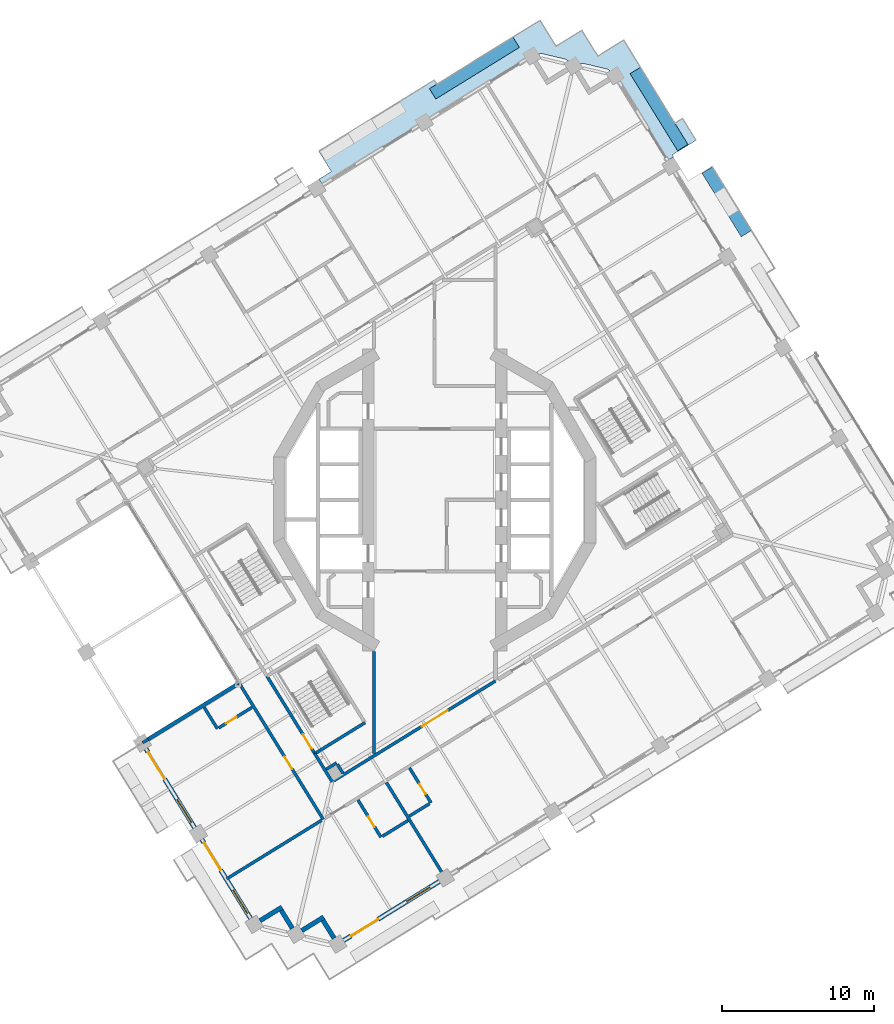
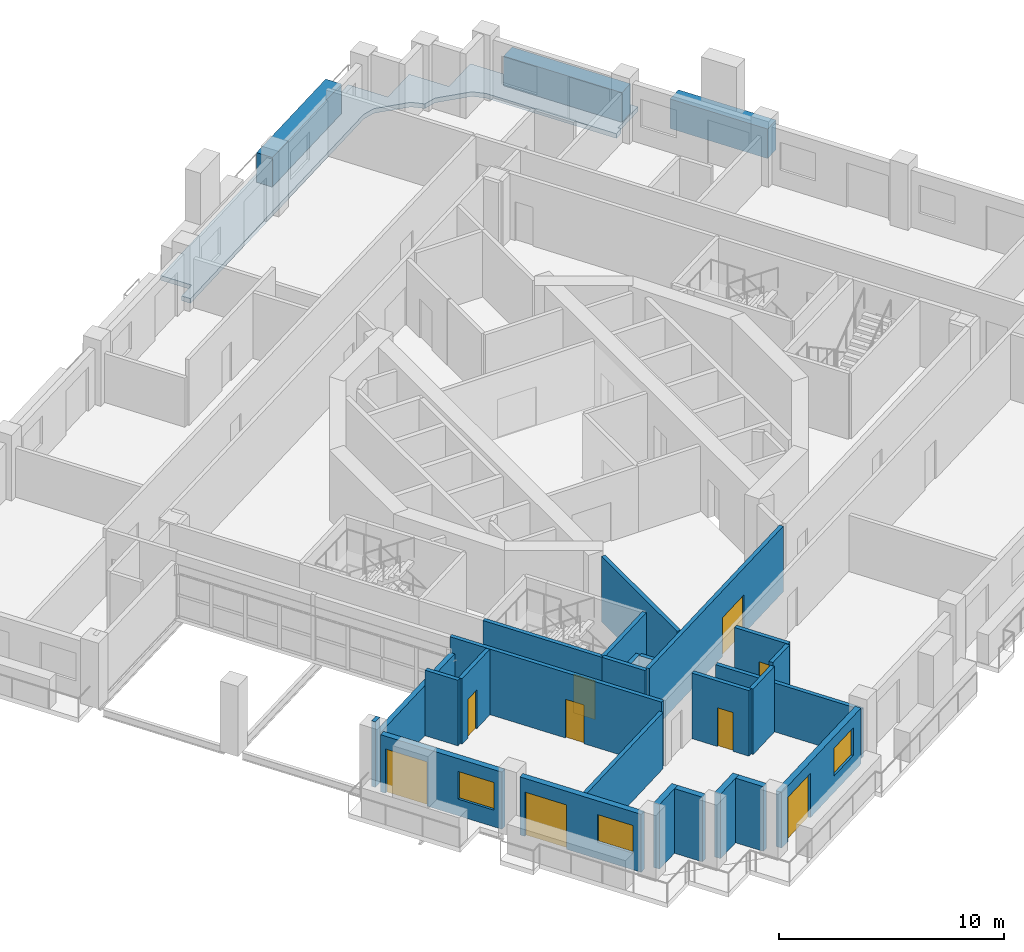
# One storey, part 5 of 20: 25 walls, 9 doors, 3 plates, 3 windows, 1 slab, 12 openings.
"""IFC4 building model written with IfcOpenShell, lengths in metres."""

from ifc_helpers import new_model, si_unit, direction, frame, frame_2d, origin, origin_2d, place, context, subcontext, project, spatial, polyline, rectangle, outline, extrude, material, layer, layer_set, type_object, element, fill, save


model = new_model("IFC4")

# Units and contexts
model_context = context("Model", 3, precision=1e-05, world=origin(), true_north=direction((0.0, 1.0)))
body_context = subcontext(model_context, "Body", "Model", "MODEL_VIEW")
ifc_project = project(units=[si_unit("LENGTHUNIT", "METRE"), si_unit("AREAUNIT", "SQUARE_METRE"), si_unit("VOLUMEUNIT", "CUBIC_METRE"), si_unit("PLANEANGLEUNIT", "RADIAN"), si_unit("MASSUNIT", "GRAM", prefix="KILO")], contexts=[model_context])

# Site, building, storey
site_placement = place(None, origin())
site = spatial("IfcSite", under=ifc_project, at=site_placement, CompositionType="ELEMENT")
building_placement = place(site_placement, origin())
building = spatial("IfcBuilding", under=site, at=building_placement, Name="Cantera Rosa Tower", CompositionType="ELEMENT")
storey_placement = place(building_placement, frame((0.0, 0.0, 151.39990234375)))
storey = spatial("IfcBuildingStorey", under=building, at=storey_placement, Name="L32", CompositionType="ELEMENT", Elevation=151.39990234375)

# Slab
ifc_material_1 = material(Name="Concrete C35/45", Category="concrete")
ifc_layer_1 = layer(ifc_material_1, 0.25)
ifc_layer_set_1 = layer_set([ifc_layer_1], Name="LOGGIA SLAB 250 C35/45")
slab_type = type_object("IfcSlabType", Name="LOGGIA SLAB 250 C35/45", PredefinedType="FLOOR", material=ifc_layer_set_1)
slab_placement = place(storey_placement, frame((0.0, 0.0, -0.25)))
element("IfcSlab", 1, at=slab_placement, inside=storey, type_object=slab_type, Name="LOGGIA SLAB L32 5", PredefinedType="FLOOR", context=body_context, shape_type="SweptSolid", body=[
    extrude(outline(polyline([(5.49755859375, 30.7080078125), (6.9443359375, 31.600341796875), (7.8369140625, 30.153564453125), (7.994384765625, 29.898193359375), (8.249755859375, 30.0556640625), (9.696533203125, 30.9482421875), (10.589111328125, 29.501220703125), (10.74658203125, 29.245849609375), (11.001953125, 29.4033203125), (12.44873046875, 30.2958984375), (13.34130859375, 28.84912109375), (15.823486328125, 24.82470703125), (16.3271484375, 25.135498046875), (17.21533203125, 23.695556640625), (15.647705078125, 22.728515625), (15.7265625, 22.600830078125), (15.343505859375, 22.36474609375), (11.894287109375, 27.95654296875), (11.4736328125, 28.328125), (11.45068359375, 28.346435546875), (11.426025390625, 28.362548828125), (11.39990234375, 28.376220703125), (11.37255859375, 28.386962890625), (11.34423828125, 28.395263671875), (9.83056640625, 28.75390625), (9.801513671875, 28.75927734375), (9.772216796875, 28.76171875), (9.742919921875, 28.761474609375), (9.713623046875, 28.75830078125), (9.684814453125, 28.752197265625), (9.14208984375, 28.60888671875), (8.721435546875, 28.98046875), (8.698486328125, 28.998779296875), (8.673828125, 29.014892578125), (8.647705078125, 29.0283203125), (8.620361328125, 29.039306640625), (8.592041015625, 29.047607421875), (7.078369140625, 29.40625), (7.049560546875, 29.41162109375), (7.02001953125, 29.4140625), (6.99072265625, 29.413818359375), (6.96142578125, 29.410400390625), (6.9326171875, 29.404296875), (6.389892578125, 29.260986328125), (-7.3896484375, 20.76171875), (-7.625732421875, 21.144775390625), (-6.8173828125, 21.643310546875), (-7.6416015625, 22.97998046875), (-0.032470703125, 27.67333984375), (0.1357421875, 27.40087890625), (5.49755859375, 30.7080078125)])), origin(), (0.0, 0.0, 1.0), 0.25),
])

# Plates
ifc_material_2 = material(Name="Cantera stone planter with soil", Category="masonry")
plate_type = type_object("IfcPlateType", Name="PLANTER 800", PredefinedType="USERDEFINED", material=ifc_material_2)
plate_1_placement = place(storey_placement, frame((19.24267578125, 19.64697265625, 0.0), z_axis=(0.0, 0.0, 1.0), x_axis=(-0.52497658034, 0.851116672434, 0.0)))
element("IfcPlate", 2, at=plate_1_placement, inside=storey, type_object=plate_type, Name="PLANTER L32-04", ObjectType="PLANTER", PredefinedType="USERDEFINED", context=body_context, shape_type="SweptSolid", body=[
    extrude(rectangle(XDim=4.919921875, YDim=0.800048828125, at=origin_2d()), origin(), (0.0, 0.0, 1.0), 1.60009765625),
])
plate_2_placement = place(storey_placement, frame((14.77783203125, 25.758056640625, 0.0), z_axis=(0.0, 0.0, 1.0), x_axis=(-0.52497658034, 0.851116672434, 0.0)))
element("IfcPlate", 3, at=plate_2_placement, inside=storey, type_object=plate_type, Name="PLANTER L32-05", ObjectType="PLANTER", PredefinedType="USERDEFINED", context=body_context, shape_type="SweptSolid", body=[
    extrude(rectangle(XDim=5.969970703125, YDim=0.800048828125, at=origin_2d()), origin(), (0.0, 0.0, 1.0), 1.60009765625),
])
plate_3_placement = place(storey_placement, frame((2.61376953125, 28.459228515625, 0.0), z_axis=(0.0, 0.0, 1.0), x_axis=(-0.851116672434, -0.52497658034, 0.0)))
element("IfcPlate", 4, at=plate_3_placement, inside=storey, type_object=plate_type, Name="PLANTER L32-06", ObjectType="PLANTER", PredefinedType="USERDEFINED", context=body_context, shape_type="SweptSolid", body=[
    extrude(rectangle(XDim=6.469970703125, YDim=0.800048828125, at=origin_2d()), origin(), (0.0, 0.0, 1.0), 1.60009765625),
])

# Wall, opening, door
ifc_material_3 = material(Name="Gypsum board partition")
ifc_layer_2 = layer(ifc_material_3, 0.199951171875)
ifc_layer_set_2 = layer_set([ifc_layer_2], Name="CORRIDOR WALL 200 H3550")
wall_type_1 = type_object("IfcWallType", Name="CORRIDOR WALL 200 H3550", PredefinedType="PARTITIONING", material=ifc_layer_set_2)
wall_1_placement = place(storey_placement, frame((-12.947265625, -11.963134765625, 0.0), z_axis=(0.0, 0.0, 1.0), x_axis=(0.524977152999, -0.851116319212, 0.0)))
wall_1 = element("IfcWall", 5, at=wall_1_placement, inside=storey, type_object=wall_type_1, Name="CORRIDOR WALL L32-006", PredefinedType="PARTITIONING", context=body_context, shape_type="SweptSolid", body=[
    extrude(rectangle(XDim=10.6650390625, YDim=0.199951171875, at=frame_2d((5.33251953125, 0.0))), origin(), (0.0, 0.0, 1.0), 3.550048828125),
])
opening_1_placement = place(wall_1_placement, frame((5.820068359375, 0.0, 0.0)))
opening_1 = element("IfcOpeningElement", 6, at=opening_1_placement, cuts=wall_1, Name="Opening L32-032", PredefinedType="OPENING", context=body_context, shape_type="SweptSolid", body=[
    extrude(rectangle(XDim=0.949951171875, YDim=2.10009765625, at=frame_2d((0.47509765625, 1.050048828125))), frame((0.0, 0.10986328125, 0.0), z_axis=(0.0, -1.0, 0.0), x_axis=(1.0, 0.0, 0.0)), (0.0, 0.0, 1.0), 0.219970703125),
])
ifc_material_4 = material(Name="Timber door leaf", Category="wood")
door_type_1 = type_object("IfcDoorType", Name="ROOM DOOR 950x2100", OperationType="NOTDEFINED", PredefinedType="DOOR", material=ifc_material_4)
door_1_placement = place(opening_1_placement, origin())
door_1 = element("IfcDoor", 7, at=door_1_placement, inside=storey, type_object=door_type_1, Name="DOOR L32-032", OperationType="NOTDEFINED", OverallHeight=2.10009765625, OverallWidth=0.949951171875, PredefinedType="DOOR", context=body_context, shape_type="SweptSolid", body=[
    extrude(rectangle(XDim=0.949951171875, YDim=2.10009765625, at=frame_2d((0.47509765625, 1.050048828125))), frame((0.0, 0.02490234375, 0.0), z_axis=(0.0, -1.0, 0.0), x_axis=(1.0, 0.0, 0.0)), (0.0, 0.0, 1.0), 0.050048828125),
])
fill(opening_1, door_1)

# Wall
wall_2_placement = place(storey_placement, frame((-7.9033203125, -16.7119140625, 0.0), z_axis=(0.0, 0.0, 1.0), x_axis=(0.525036414636, -0.851079763187, 0.0)))
element("IfcWall", 8, at=wall_2_placement, inside=storey, type_object=wall_type_1, Name="CORRIDOR WALL L32-026", PredefinedType="PARTITIONING", context=body_context, shape_type="SweptSolid", body=[
    extrude(rectangle(XDim=2.17529296875, YDim=0.199951171875, at=frame_2d((1.087646484375, 0.0))), origin(), (0.0, 0.0, 1.0), 3.550048828125),
])

# Wall, opening, door
wall_3_placement = place(storey_placement, frame((-6.6591796875, -18.500244140625, 0.0), z_axis=(0.0, 0.0, 1.0), x_axis=(0.851115705413, 0.524978148116, 0.0)))
wall_3 = element("IfcWall", 9, at=wall_3_placement, inside=storey, type_object=wall_type_1, Name="CORRIDOR WALL L32-039", PredefinedType="PARTITIONING", context=body_context, shape_type="SweptSolid", body=[
    extrude(rectangle(XDim=12.523681640625, YDim=0.199951171875, at=frame_2d((6.26171875, 0.0))), origin(), (0.0, 0.0, 1.0), 3.550048828125),
])
opening_2_placement = place(wall_3_placement, frame((6.82421875, 0.0, 0.0)))
opening_2 = element("IfcOpeningElement", 10, at=opening_2_placement, cuts=wall_3, Name="Opening L32-011", PredefinedType="OPENING", context=body_context, shape_type="SweptSolid", body=[
    extrude(rectangle(XDim=2.0, YDim=2.10009765625, at=frame_2d((1.0, 1.050048828125))), frame((0.0, 0.10986328125, 0.0), z_axis=(0.0, -1.0, 0.0), x_axis=(1.0, 0.0, 0.0)), (0.0, 0.0, 1.0), 0.219970703125),
])
ifc_material_5 = material(Name="Steel S355J2 (EN 10025-2)", Category="steel")
door_type_2 = type_object("IfcDoorType", Name="LOBBY SCREEN DOOR 2000x2100", OperationType="NOTDEFINED", PredefinedType="DOOR", material=ifc_material_5)
door_2_placement = place(opening_2_placement, origin())
door_2 = element("IfcDoor", 11, at=door_2_placement, inside=storey, type_object=door_type_2, Name="DOOR L32-011", OperationType="NOTDEFINED", OverallHeight=2.10009765625, OverallWidth=2.0, PredefinedType="DOOR", context=body_context, shape_type="SweptSolid", body=[
    extrude(rectangle(XDim=2.0, YDim=2.10009765625, at=frame_2d((1.0, 1.050048828125))), frame((0.0, 0.02490234375, 0.0), z_axis=(0.0, -1.0, 0.0), x_axis=(1.0, 0.0, 0.0)), (0.0, 0.0, 1.0), 0.050048828125),
])
fill(opening_2, door_2)

# Walls
wall_4_placement = place(storey_placement, frame((-4.0, -9.994140625, 0.0), z_axis=(0.0, 0.0, 1.0), x_axis=(0.0, -1.0, 0.0)))
element("IfcWall", 12, at=wall_4_placement, inside=storey, type_object=wall_type_1, Name="CORRIDOR WALL L32-050", PredefinedType="PARTITIONING", context=body_context, shape_type="SweptSolid", body=[
    extrude(rectangle(XDim=6.7060546875, YDim=0.199951171875, at=frame_2d((3.35302734375, 0.0))), origin(), (0.0, 0.0, 1.0), 3.550048828125),
])
ifc_material_6 = material(Name="Hollow clay masonry with cantera stone cladding", Category="masonry")
ifc_layer_3 = layer(ifc_material_6, 0.300048828125)
ifc_layer_set_3 = layer_set([ifc_layer_3], Name="EW-LOGGIA 300")
wall_type_2 = type_object("IfcWallType", Name="EW-LOGGIA 300", PredefinedType="SOLIDWALL", material=ifc_layer_set_3)
wall_5_placement = place(storey_placement, frame((-11.51123046875, -27.72021484375, 0.0), z_axis=(0.0, 0.0, 1.0), x_axis=(0.851130227454, 0.524954603669, 0.0)))
element("IfcWall", 13, at=wall_5_placement, inside=storey, type_object=wall_type_2, Name="EN-L32-W20a", PredefinedType="SOLIDWALL", context=body_context, shape_type="SweptSolid", body=[
    extrude(rectangle(XDim=1.699951171875, YDim=0.300048828125, at=frame_2d((0.85009765625, 0.0))), origin(), (0.0, 0.0, 1.0), 3.5),
])
wall_6_placement = place(storey_placement, frame((-10.11328125, -27.0341796875, 0.0), z_axis=(0.0, 0.0, 1.0), x_axis=(0.524895019961, -0.85116697423, 0.0)))
element("IfcWall", 14, at=wall_6_placement, inside=storey, type_object=wall_type_2, Name="EN-L32-W20b", PredefinedType="SOLIDWALL", context=body_context, shape_type="SweptSolid", body=[
    extrude(rectangle(XDim=1.39990234375, YDim=0.300048828125, at=frame_2d((0.699951171875, 0.0))), origin(), (0.0, 0.0, 1.0), 3.5),
])
wall_7_placement = place(storey_placement, frame((-8.75927734375, -28.37255859375, 0.0), z_axis=(0.0, 0.0, 1.0), x_axis=(0.851105638601, 0.524994468487, 0.0)))
element("IfcWall", 15, at=wall_7_placement, inside=storey, type_object=wall_type_2, Name="EN-L32-W21a", PredefinedType="SOLIDWALL", context=body_context, shape_type="SweptSolid", body=[
    extrude(rectangle(XDim=1.7001953125, YDim=0.300048828125, at=frame_2d((0.85009765625, 0.0))), origin(), (0.0, 0.0, 1.0), 3.5),
])
wall_8_placement = place(storey_placement, frame((-7.361083984375, -27.6865234375, 0.0), z_axis=(0.0, 0.0, 1.0), x_axis=(0.524895019961, -0.85116697423, 0.0)))
element("IfcWall", 16, at=wall_8_placement, inside=storey, type_object=wall_type_2, Name="EN-L32-W21b", PredefinedType="SOLIDWALL", context=body_context, shape_type="SweptSolid", body=[
    extrude(rectangle(XDim=1.39990234375, YDim=0.300048828125, at=frame_2d((0.699951171875, 0.0))), origin(), (0.0, 0.0, 1.0), 3.5),
])

# Wall, openings, window, door
ifc_material_7 = material(Name="Hollow clay masonry with cantera stone cladding", Category="masonry")
ifc_layer_4 = layer(ifc_material_7, 0.300048828125)
ifc_layer_set_4 = layer_set([ifc_layer_4], Name="EW-LOGGIA 300 H3020")
wall_type_3 = type_object("IfcWallType", Name="EW-LOGGIA 300 H3020", PredefinedType="SOLIDWALL", material=ifc_layer_set_4)
wall_9_placement = place(storey_placement, frame((-6.007080078125, -29.02490234375, 0.0), z_axis=(0.0, 0.0, 1.0), x_axis=(0.851111085575, 0.524985637909, 0.0)))
wall_9 = element("IfcWall", 17, at=wall_9_placement, inside=storey, type_object=wall_type_3, Name="EN-L32-W22", PredefinedType="SOLIDWALL", context=body_context, shape_type="SweptSolid", body=[
    extrude(rectangle(XDim=7.420166015625, YDim=0.300048828125, at=frame_2d((3.7099609375, 0.0))), origin(), (0.0, 0.0, 1.0), 3.02001953125),
])
opening_3_placement = place(wall_9_placement, frame((0.580078125, 0.0, 0.0)))
opening_3 = element("IfcOpeningElement", 18, at=opening_3_placement, cuts=wall_9, Name="Opening L32-TD27", PredefinedType="OPENING", context=body_context, shape_type="SweptSolid", body=[
    extrude(rectangle(XDim=2.10009765625, YDim=2.39990234375, at=frame_2d((1.050048828125, 1.199951171875))), frame((0.0, 0.159912109375, 0.0), z_axis=(0.0, -1.0, 0.0), x_axis=(1.0, 0.0, 0.0)), (0.0, 0.0, 1.0), 0.320068359375),
])
opening_4_placement = place(wall_9_placement, frame((4.889892578125, 0.0, 0.89990234375)))
opening_4 = element("IfcOpeningElement", 19, at=opening_4_placement, cuts=wall_9, Name="Opening L32-W28", PredefinedType="OPENING", context=body_context, shape_type="SweptSolid", body=[
    extrude(rectangle(XDim=1.800048828125, YDim=1.5, at=frame_2d((0.89990234375, 0.75))), frame((0.0, 0.159912109375, 0.0), z_axis=(0.0, -1.0, 0.0), x_axis=(1.0, 0.0, 0.0)), (0.0, 0.0, 1.0), 0.320068359375),
])
ifc_material_8 = material(Name="Aluminium frame with clear glass", Category="aluminium")
window_type = type_object("IfcWindowType", Name="Hotel room window 1800x1500", PartitioningType="DOUBLE_PANEL_VERTICAL", PredefinedType="WINDOW", material=ifc_material_8)
window_1_placement = place(opening_4_placement, origin())
window_1 = element("IfcWindow", 20, at=window_1_placement, inside=storey, type_object=window_type, Name="WINDOW L32-W28", OverallHeight=1.5, OverallWidth=1.800048828125, PartitioningType="SINGLE_PANEL", PredefinedType="WINDOW", context=body_context, shape_type="SweptSolid", body=[
    extrude(rectangle(XDim=1.800048828125, YDim=1.5, at=frame_2d((0.89990234375, 0.75))), frame((0.0, 0.030029296875, 0.0), z_axis=(0.0, -1.0, 0.0), x_axis=(1.0, 0.0, 0.0)), (0.0, 0.0, 1.0), 0.06005859375),
])
fill(opening_4, window_1)
ifc_material_9 = material(Name="Aluminium frame with clear glass", Category="aluminium")
door_type_3 = type_object("IfcDoorType", Name="TD-H 2100x2400", OperationType="NOTDEFINED", PredefinedType="DOOR", material=ifc_material_9)
door_3_placement = place(opening_3_placement, origin())
door_3 = element("IfcDoor", 21, at=door_3_placement, inside=storey, type_object=door_type_3, Name="LOGGIA DOOR L32-TD27", OperationType="SLIDING_TO_LEFT", OverallHeight=2.39990234375, OverallWidth=2.10009765625, PredefinedType="DOOR", context=body_context, shape_type="SweptSolid", body=[
    extrude(rectangle(XDim=2.10009765625, YDim=2.39990234375, at=frame_2d((1.050048828125, 1.199951171875))), frame((0.0, 0.02490234375, 0.0), z_axis=(0.0, -1.0, 0.0), x_axis=(1.0, 0.0, 0.0)), (0.0, 0.0, 1.0), 0.050048828125),
])
fill(opening_3, door_3)

ifc_material_10 = material(Name="Hollow clay masonry with cantera stone cladding", Category="masonry")
ifc_layer_5 = layer(ifc_material_10, 0.300048828125)
ifc_layer_set_5 = layer_set([ifc_layer_5], Name="EW-LOGGIA 300 H3090")
wall_type_4 = type_object("IfcWallType", Name="EW-LOGGIA 300 H3090", PredefinedType="SOLIDWALL", material=ifc_layer_set_5)
wall_10_placement = place(storey_placement, frame((-19.02880859375, -16.389892578125, 0.0), z_axis=(0.0, 0.0, 1.0), x_axis=(0.524987447654, -0.851109969279, 0.0)))
wall_10 = element("IfcWall", 22, at=wall_10_placement, inside=storey, type_object=wall_type_4, Name="EN-L32-W18", PredefinedType="SOLIDWALL", context=body_context, shape_type="SweptSolid", body=[
    extrude(rectangle(XDim=6.119873046875, YDim=0.300048828125, at=frame_2d((3.06005859375, 0.0))), origin(), (0.0, 0.0, 1.0), 3.090087890625),
])
opening_5_placement = place(wall_10_placement, frame((0.2548828125, 0.0, 0.0)))
opening_5 = element("IfcOpeningElement", 23, at=opening_5_placement, cuts=wall_10, Name="Opening L32-TD23", PredefinedType="OPENING", context=body_context, shape_type="SweptSolid", body=[
    extrude(rectangle(XDim=2.10009765625, YDim=2.39990234375, at=frame_2d((1.050048828125, 1.199951171875))), frame((0.0, 0.159912109375, 0.0), z_axis=(0.0, -1.0, 0.0), x_axis=(1.0, 0.0, 0.0)), (0.0, 0.0, 1.0), 0.320068359375),
])
opening_6_placement = place(wall_10_placement, frame((3.9150390625, 0.0, 0.89990234375)))
opening_6 = element("IfcOpeningElement", 24, at=opening_6_placement, cuts=wall_10, Name="Opening L32-W24", PredefinedType="OPENING", context=body_context, shape_type="SweptSolid", body=[
    extrude(rectangle(XDim=1.800048828125, YDim=1.5, at=frame_2d((0.89990234375, 0.75))), frame((0.0, 0.159912109375, 0.0), z_axis=(0.0, -1.0, 0.0), x_axis=(1.0, 0.0, 0.0)), (0.0, 0.0, 1.0), 0.320068359375),
])
window_2_placement = place(opening_6_placement, origin())
window_2 = element("IfcWindow", 25, at=window_2_placement, inside=storey, type_object=window_type, Name="WINDOW L32-W24", OverallHeight=1.5, OverallWidth=1.800048828125, PartitioningType="SINGLE_PANEL", PredefinedType="WINDOW", context=body_context, shape_type="SweptSolid", body=[
    extrude(rectangle(XDim=1.800048828125, YDim=1.5, at=frame_2d((0.89990234375, 0.75))), frame((0.0, 0.030029296875, 0.0), z_axis=(0.0, -1.0, 0.0), x_axis=(1.0, 0.0, 0.0)), (0.0, 0.0, 1.0), 0.06005859375),
])
fill(opening_6, window_2)
door_4_placement = place(opening_5_placement, origin())
door_4 = element("IfcDoor", 26, at=door_4_placement, inside=storey, type_object=door_type_3, Name="LOGGIA DOOR L32-TD23", OperationType="SLIDING_TO_LEFT", OverallHeight=2.39990234375, OverallWidth=2.10009765625, PredefinedType="DOOR", context=body_context, shape_type="SweptSolid", body=[
    extrude(rectangle(XDim=2.10009765625, YDim=2.39990234375, at=frame_2d((1.050048828125, 1.199951171875))), frame((0.0, 0.02490234375, 0.0), z_axis=(0.0, -1.0, 0.0), x_axis=(1.0, 0.0, 0.0)), (0.0, 0.0, 1.0), 0.050048828125),
])
fill(opening_5, door_4)

ifc_material_11 = material(Name="Hollow clay masonry with cantera stone cladding", Category="masonry")
ifc_layer_6 = layer(ifc_material_11, 0.300048828125)
ifc_layer_set_6 = layer_set([ifc_layer_6], Name="EW-LOGGIA 300 H3140")
wall_type_5 = type_object("IfcWallType", Name="EW-LOGGIA 300 H3140", PredefinedType="SOLIDWALL", material=ifc_layer_set_6)
wall_11_placement = place(storey_placement, frame((-15.343505859375, -22.36474609375, 0.0), z_axis=(0.0, 0.0, 1.0), x_axis=(0.524987447654, -0.851109969279, 0.0)))
wall_11 = element("IfcWall", 27, at=wall_11_placement, inside=storey, type_object=wall_type_5, Name="EN-L32-W19", PredefinedType="SOLIDWALL", context=body_context, shape_type="SweptSolid", body=[
    extrude(rectangle(XDim=6.119873046875, YDim=0.300048828125, at=frame_2d((3.06005859375, 0.0))), origin(), (0.0, 0.0, 1.0), 3.14013671875),
])
opening_7_placement = place(wall_11_placement, frame((0.2548828125, 0.0, 0.0)))
opening_7 = element("IfcOpeningElement", 28, at=opening_7_placement, cuts=wall_11, Name="Opening L32-TD25", PredefinedType="OPENING", context=body_context, shape_type="SweptSolid", body=[
    extrude(rectangle(XDim=2.10009765625, YDim=2.39990234375, at=frame_2d((1.050048828125, 1.199951171875))), frame((0.0, 0.159912109375, 0.0), z_axis=(0.0, -1.0, 0.0), x_axis=(1.0, 0.0, 0.0)), (0.0, 0.0, 1.0), 0.320068359375),
])
opening_8_placement = place(wall_11_placement, frame((3.9150390625, 0.0, 0.89990234375)))
opening_8 = element("IfcOpeningElement", 29, at=opening_8_placement, cuts=wall_11, Name="Opening L32-W26", PredefinedType="OPENING", context=body_context, shape_type="SweptSolid", body=[
    extrude(rectangle(XDim=1.800048828125, YDim=1.5, at=frame_2d((0.89990234375, 0.75))), frame((0.0, 0.159912109375, 0.0), z_axis=(0.0, -1.0, 0.0), x_axis=(1.0, 0.0, 0.0)), (0.0, 0.0, 1.0), 0.320068359375),
])
window_3_placement = place(opening_8_placement, origin())
window_3 = element("IfcWindow", 30, at=window_3_placement, inside=storey, type_object=window_type, Name="WINDOW L32-W26", OverallHeight=1.5, OverallWidth=1.800048828125, PartitioningType="SINGLE_PANEL", PredefinedType="WINDOW", context=body_context, shape_type="SweptSolid", body=[
    extrude(rectangle(XDim=1.800048828125, YDim=1.5, at=frame_2d((0.89990234375, 0.75))), frame((0.0, 0.030029296875, 0.0), z_axis=(0.0, -1.0, 0.0), x_axis=(1.0, 0.0, 0.0)), (0.0, 0.0, 1.0), 0.06005859375),
])
fill(opening_8, window_3)
door_5_placement = place(opening_7_placement, origin())
door_5 = element("IfcDoor", 31, at=door_5_placement, inside=storey, type_object=door_type_3, Name="LOGGIA DOOR L32-TD25", OperationType="SLIDING_TO_LEFT", OverallHeight=2.39990234375, OverallWidth=2.10009765625, PredefinedType="DOOR", context=body_context, shape_type="SweptSolid", body=[
    extrude(rectangle(XDim=2.10009765625, YDim=2.39990234375, at=frame_2d((1.050048828125, 1.199951171875))), frame((0.0, 0.02490234375, 0.0), z_axis=(0.0, -1.0, 0.0), x_axis=(1.0, 0.0, 0.0)), (0.0, 0.0, 1.0), 0.050048828125),
])
fill(opening_7, door_5)

# Walls
ifc_material_12 = material(Name="Concrete C40/50", Category="concrete")
ifc_layer_7 = layer(ifc_material_12, 0.25)
ifc_layer_set_7 = layer_set([ifc_layer_7], Name="EW-POCKET CHEEK 250 H2710")
wall_type_6 = type_object("IfcWallType", Name="EW-POCKET CHEEK 250 H2710", PredefinedType="SOLIDWALL", material=ifc_layer_set_7)
wall_12_placement = place(storey_placement, frame((-18.882080078125, -15.7705078125, 0.0), z_axis=(0.0, 0.0, 1.0), x_axis=(0.851127184208, 0.524959537777, 0.0)))
element("IfcWall", 32, at=wall_12_placement, inside=storey, type_object=wall_type_6, Name="POCKET CHEEK B L32", PredefinedType="SOLIDWALL", context=body_context, shape_type="SweptSolid", body=[
    extrude(rectangle(XDim=6.949951171875, YDim=0.25, at=frame_2d((3.47509765625, 0.0))), origin(), (0.0, 0.0, 1.0), 2.710205078125),
])
ifc_material_13 = material(Name="Gypsum board partition")
ifc_layer_8 = layer(ifc_material_13, 0.199951171875)
ifc_layer_set_8 = layer_set([ifc_layer_8], Name="PARTITION 200 H3550")
wall_type_7 = type_object("IfcWallType", Name="PARTITION 200 H3550", PredefinedType="PARTITIONING", material=ifc_layer_set_8)
wall_13_placement = place(storey_placement, frame((-19.239501953125, -15.9912109375, 0.0), z_axis=(0.0, 0.0, 1.0), x_axis=(0.85085913097, 0.525393889615, 0.0)))
element("IfcWall", 33, at=wall_13_placement, inside=storey, type_object=wall_type_7, Name="PARTITION L32-010", PredefinedType="PARTITIONING", context=body_context, shape_type="SweptSolid", body=[
    extrude(rectangle(XDim=0.420166015625, YDim=0.199951171875, at=frame_2d((0.2099609375, 0.0))), origin(), (0.0, 0.0, 1.0), 3.550048828125),
])
wall_14_placement = place(storey_placement, frame((-14.31982421875, -15.071533203125, 0.0), z_axis=(0.0, 0.0, 1.0), x_axis=(-0.524915259782, 0.851154492468, 0.0)))
element("IfcWall", 34, at=wall_14_placement, inside=storey, type_object=wall_type_7, Name="PARTITION L32-015", PredefinedType="PARTITIONING", context=body_context, shape_type="SweptSolid", body=[
    extrude(rectangle(XDim=1.6650390625, YDim=0.199951171875, at=frame_2d((0.83251953125, 0.0))), origin(), (0.0, 0.0, 1.0), 3.550048828125),
])

# Wall, opening, door
wall_15_placement = place(storey_placement, frame((-12.038818359375, -13.66455078125, 0.0), z_axis=(0.0, 0.0, 1.0), x_axis=(-0.851098989685, -0.525005247362, 0.0)))
wall_15 = element("IfcWall", 35, at=wall_15_placement, inside=storey, type_object=wall_type_7, Name="PARTITION L32-021", PredefinedType="PARTITIONING", context=body_context, shape_type="SweptSolid", body=[
    extrude(rectangle(XDim=2.580078125, YDim=0.199951171875, at=frame_2d((1.2900390625, 0.0))), origin(), (0.0, 0.0, 1.0), 3.550048828125),
])
opening_9_placement = place(wall_15_placement, frame((1.216064453125, 0.0, 0.0)))
opening_9 = element("IfcOpeningElement", 36, at=opening_9_placement, cuts=wall_15, Name="Opening L32-033", PredefinedType="OPENING", context=body_context, shape_type="SweptSolid", body=[
    extrude(rectangle(XDim=0.800048828125, YDim=2.10009765625, at=frame_2d((0.39990234375, 1.050048828125))), frame((0.0, 0.10986328125, 0.0), z_axis=(0.0, -1.0, 0.0), x_axis=(1.0, 0.0, 0.0)), (0.0, 0.0, 1.0), 0.219970703125),
])
ifc_material_14 = material(Name="Timber door leaf", Category="wood")
door_type_4 = type_object("IfcDoorType", Name="BATHROOM DOOR 800x2100", OperationType="NOTDEFINED", PredefinedType="DOOR", material=ifc_material_14)
door_6_placement = place(opening_9_placement, origin())
door_6 = element("IfcDoor", 37, at=door_6_placement, inside=storey, type_object=door_type_4, Name="DOOR L32-033", OperationType="NOTDEFINED", OverallHeight=2.10009765625, OverallWidth=0.800048828125, PredefinedType="DOOR", context=body_context, shape_type="SweptSolid", body=[
    extrude(rectangle(XDim=0.800048828125, YDim=2.10009765625, at=frame_2d((0.39990234375, 1.050048828125))), frame((0.0, 0.02490234375, 0.0), z_axis=(0.0, -1.0, 0.0), x_axis=(1.0, 0.0, 0.0)), (0.0, 0.0, 1.0), 0.050048828125),
])
fill(opening_9, door_6)

# Walls
wall_16_placement = place(storey_placement, frame((-6.4677734375, -17.32470703125, 0.0), z_axis=(0.0, 0.0, 1.0), x_axis=(-0.85101860469, -0.525135539144, 0.0)))
element("IfcWall", 38, at=wall_16_placement, inside=storey, type_object=wall_type_7, Name="PARTITION L32-040", PredefinedType="PARTITIONING", context=body_context, shape_type="SweptSolid", body=[
    extrude(rectangle(XDim=0.800048828125, YDim=0.199951171875, at=frame_2d((0.39990234375, 0.0))), origin(), (0.0, 0.0, 1.0), 3.550048828125),
])
wall_17_placement = place(storey_placement, frame((-6.0478515625, -18.005615234375, 0.0), z_axis=(0.0, 0.0, 1.0), x_axis=(-0.525018782991, 0.851090640006, 0.0)))
element("IfcWall", 39, at=wall_17_placement, inside=storey, type_object=wall_type_7, Name="PARTITION L32-042", PredefinedType="PARTITIONING", context=body_context, shape_type="SweptSolid", body=[
    extrude(rectangle(XDim=0.679931640625, YDim=0.199951171875, at=frame_2d((0.33984375, 0.0))), origin(), (0.0, 0.0, 1.0), 3.550048828125),
])

# Wall, opening, door
wall_18_placement = place(storey_placement, frame((-3.54345703125, -22.21826171875, 0.0), z_axis=(0.0, 0.0, 1.0), x_axis=(-0.524991059862, 0.851107741162, 0.0)))
wall_18 = element("IfcWall", 40, at=wall_18_placement, inside=storey, type_object=wall_type_7, Name="PARTITION L32-054", PredefinedType="PARTITIONING", context=body_context, shape_type="SweptSolid", body=[
    extrude(rectangle(XDim=2.8798828125, YDim=0.199951171875, at=frame_2d((1.43994140625, 0.0))), origin(), (0.0, 0.0, 1.0), 3.550048828125),
])
opening_10_placement = place(wall_18_placement, frame((0.800048828125, 0.0, 0.0)))
opening_10 = element("IfcOpeningElement", 41, at=opening_10_placement, cuts=wall_18, Name="Opening L32-040", PredefinedType="OPENING", context=body_context, shape_type="SweptSolid", body=[
    extrude(rectangle(XDim=0.800048828125, YDim=2.10009765625, at=frame_2d((0.39990234375, 1.050048828125))), frame((0.0, 0.10986328125, 0.0), z_axis=(0.0, -1.0, 0.0), x_axis=(1.0, 0.0, 0.0)), (0.0, 0.0, 1.0), 0.219970703125),
])
door_7_placement = place(opening_10_placement, origin())
door_7 = element("IfcDoor", 42, at=door_7_placement, inside=storey, type_object=door_type_4, Name="DOOR L32-040", OperationType="NOTDEFINED", OverallHeight=2.10009765625, OverallWidth=0.800048828125, PredefinedType="DOOR", context=body_context, shape_type="SweptSolid", body=[
    extrude(rectangle(XDim=0.800048828125, YDim=2.10009765625, at=frame_2d((0.39990234375, 1.050048828125))), frame((0.0, 0.02490234375, 0.0), z_axis=(0.0, -1.0, 0.0), x_axis=(1.0, 0.0, 0.0)), (0.0, 0.0, 1.0), 0.050048828125),
])
fill(opening_10, door_7)

wall_19_placement = place(storey_placement, frame((-1.66162109375, -17.650146484375, 0.0), z_axis=(0.0, 0.0, 1.0), x_axis=(0.525015355941, -0.851092754068, 0.0)))
wall_19 = element("IfcWall", 43, at=wall_19_placement, inside=storey, type_object=wall_type_7, Name="PARTITION L32-055", PredefinedType="PARTITIONING", context=body_context, shape_type="SweptSolid", body=[
    extrude(rectangle(XDim=2.699951171875, YDim=0.199951171875, at=frame_2d((1.35009765625, 0.0))), origin(), (0.0, 0.0, 1.0), 3.550048828125),
])
opening_11_placement = place(wall_19_placement, frame((1.236083984375, 0.0, 0.0)))
opening_11 = element("IfcOpeningElement", 44, at=opening_11_placement, cuts=wall_19, Name="Opening L32-038", PredefinedType="OPENING", context=body_context, shape_type="SweptSolid", body=[
    extrude(rectangle(XDim=0.800048828125, YDim=2.10009765625, at=frame_2d((0.39990234375, 1.050048828125))), frame((0.0, 0.10986328125, 0.0), z_axis=(0.0, -1.0, 0.0), x_axis=(1.0, 0.0, 0.0)), (0.0, 0.0, 1.0), 0.219970703125),
])
door_8_placement = place(opening_11_placement, origin())
door_8 = element("IfcDoor", 45, at=door_8_placement, inside=storey, type_object=door_type_4, Name="DOOR L32-038", OperationType="NOTDEFINED", OverallHeight=2.10009765625, OverallWidth=0.800048828125, PredefinedType="DOOR", context=body_context, shape_type="SweptSolid", body=[
    extrude(rectangle(XDim=0.800048828125, YDim=2.10009765625, at=frame_2d((0.39990234375, 1.050048828125))), frame((0.0, 0.02490234375, 0.0), z_axis=(0.0, -1.0, 0.0), x_axis=(1.0, 0.0, 0.0)), (0.0, 0.0, 1.0), 0.050048828125),
])
fill(opening_11, door_8)

# Walls
wall_20_placement = place(storey_placement, frame((-1.756103515625, -21.11572265625, 0.0), z_axis=(0.0, 0.0, 1.0), x_axis=(-0.851117241868, -0.524975657145, 0.0)))
element("IfcWall", 46, at=wall_20_placement, inside=storey, type_object=wall_type_7, Name="PARTITION L32-056", PredefinedType="PARTITIONING", context=body_context, shape_type="SweptSolid", body=[
    extrude(rectangle(XDim=2.000244140625, YDim=0.199951171875, at=frame_2d((1.0, 0.0))), origin(), (0.0, 0.0, 1.0), 3.550048828125),
])
wall_21_placement = place(storey_placement, frame((-0.34619140625, -20.010986328125, 0.0), z_axis=(0.0, 0.0, 1.0), x_axis=(-0.851061308795, -0.525066327879, 0.0)))
element("IfcWall", 47, at=wall_21_placement, inside=storey, type_object=wall_type_7, Name="PARTITION L32-057", PredefinedType="PARTITIONING", context=body_context, shape_type="SweptSolid", body=[
    extrude(rectangle(XDim=1.56005859375, YDim=0.199951171875, at=frame_2d((0.780029296875, 0.0))), origin(), (0.0, 0.0, 1.0), 3.550048828125),
])
ifc_material_15 = material(Name="Gypsum board partition")
ifc_layer_9 = layer(ifc_material_15, 0.199951171875)
ifc_layer_set_9 = layer_set([ifc_layer_9], Name="PARTY WALL 200 H2650")
wall_type_8 = type_object("IfcWallType", Name="PARTY WALL 200 H2650", PredefinedType="PARTITIONING", material=ifc_layer_set_9)
wall_22_placement = place(storey_placement, frame((0.675537109375, -24.86767578125, 0.0), z_axis=(0.0, 0.0, 1.0), x_axis=(-0.52498856982, 0.851109277096, 0.0)))
element("IfcWall", 48, at=wall_22_placement, inside=storey, type_object=wall_type_8, Name="PARTY WALL L32-061", PredefinedType="PARTITIONING", context=body_context, shape_type="SweptSolid", body=[
    extrude(rectangle(XDim=7.349853515625, YDim=0.199951171875, at=frame_2d((3.6748046875, 0.0))), origin(), (0.0, 0.0, 1.0), 2.650146484375),
])
ifc_material_16 = material(Name="Gypsum board partition")
ifc_layer_10 = layer(ifc_material_16, 0.199951171875)
ifc_layer_set_10 = layer_set([ifc_layer_10], Name="PARTY WALL 200 H3050")
wall_type_9 = type_object("IfcWallType", Name="PARTY WALL 200 H3050", PredefinedType="PARTITIONING", material=ifc_layer_set_10)
wall_23_placement = place(storey_placement, frame((-13.706298828125, -24.9619140625, 0.0), z_axis=(0.0, 0.0, 1.0), x_axis=(0.851118431638, 0.524973728225, 0.0)))
element("IfcWall", 49, at=wall_23_placement, inside=storey, type_object=wall_type_9, Name="PARTY WALL L32-016", PredefinedType="PARTITIONING", context=body_context, shape_type="SweptSolid", body=[
    extrude(rectangle(XDim=7.35009765625, YDim=0.199951171875, at=frame_2d((3.675048828125, 0.0))), origin(), (0.0, 0.0, 1.0), 3.050048828125),
])

# Wall, opening, door
ifc_material_17 = material(Name="Concrete C50/60", Category="concrete")
ifc_layer_11 = layer(ifc_material_17, 0.199951171875)
ifc_layer_set_11 = layer_set([ifc_layer_11], Name="STAIR WALL 200 H3550")
wall_type_10 = type_object("IfcWallType", Name="STAIR WALL 200 H3550", PredefinedType="SOLIDWALL", material=ifc_layer_set_11)
wall_24_placement = place(storey_placement, frame((-11.05322265625, -11.605224609375, 0.0), z_axis=(0.0, 0.0, 1.0), x_axis=(0.524982543144, -0.851112994493, 0.0)))
wall_24 = element("IfcWall", 50, at=wall_24_placement, inside=storey, type_object=wall_type_10, Name="STAIR WALL L32-022", PredefinedType="SOLIDWALL", context=body_context, shape_type="SweptSolid", body=[
    extrude(rectangle(XDim=6.0, YDim=0.199951171875, at=frame_2d((3.0, 0.0))), origin(), (0.0, 0.0, 1.0), 3.550048828125),
])
opening_12_placement = place(wall_24_placement, frame((4.52490234375, 0.0, 0.0)))
opening_12 = element("IfcOpeningElement", 51, at=opening_12_placement, cuts=wall_24, Name="Opening L32-003", PredefinedType="OPENING", context=body_context, shape_type="SweptSolid", body=[
    extrude(rectangle(XDim=1.10009765625, YDim=2.10009765625, at=frame_2d((0.550048828125, 1.050048828125))), frame((0.0, 0.10986328125, 0.0), z_axis=(0.0, -1.0, 0.0), x_axis=(1.0, 0.0, 0.0)), (0.0, 0.0, 1.0), 0.219970703125),
])
ifc_material_18 = material(Name="Steel S355J2 (EN 10025-2)", Category="steel")
door_type_5 = type_object("IfcDoorType", Name="STAIR DOOR 1100x2100", OperationType="NOTDEFINED", PredefinedType="DOOR", material=ifc_material_18)
door_9_placement = place(opening_12_placement, origin())
door_9 = element("IfcDoor", 52, at=door_9_placement, inside=storey, type_object=door_type_5, Name="DOOR L32-003", OperationType="NOTDEFINED", OverallHeight=2.10009765625, OverallWidth=1.10009765625, PredefinedType="DOOR", context=body_context, shape_type="SweptSolid", body=[
    extrude(rectangle(XDim=1.10009765625, YDim=2.10009765625, at=frame_2d((0.550048828125, 1.050048828125))), frame((0.0, 0.02490234375, 0.0), z_axis=(0.0, -1.0, 0.0), x_axis=(1.0, 0.0, 0.0)), (0.0, 0.0, 1.0), 0.050048828125),
])
fill(opening_12, door_9)

# Wall
wall_25_placement = place(storey_placement, frame((-7.9033203125, -16.7119140625, 0.0), z_axis=(0.0, 0.0, 1.0), x_axis=(0.851124503894, 0.524963883397, 0.0)))
element("IfcWall", 53, at=wall_25_placement, inside=storey, type_object=wall_type_10, Name="STAIR WALL L32-027", PredefinedType="SOLIDWALL", context=body_context, shape_type="SweptSolid", body=[
    extrude(rectangle(XDim=3.8818359375, YDim=0.199951171875, at=frame_2d((1.94091796875, 0.0))), origin(), (0.0, 0.0, 1.0), 3.550048828125),
])

save(model, "model.ifc")
